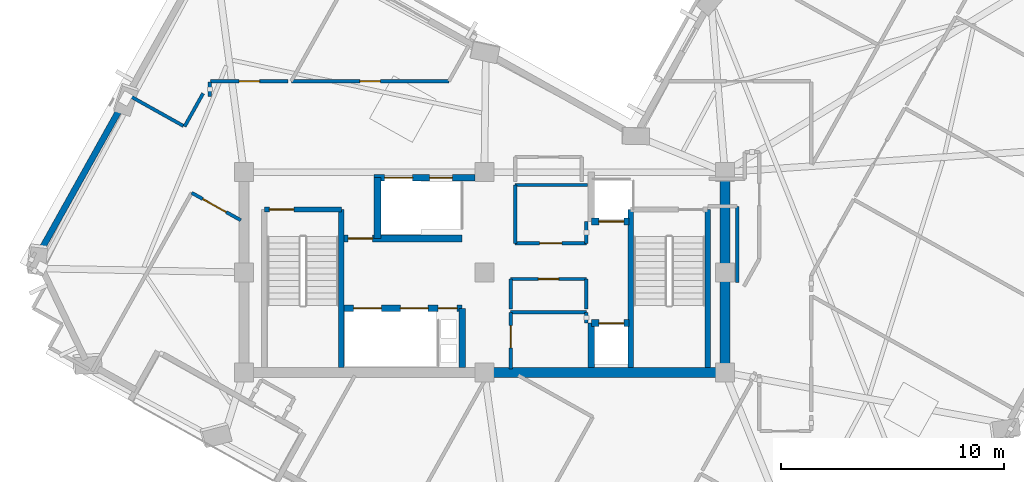
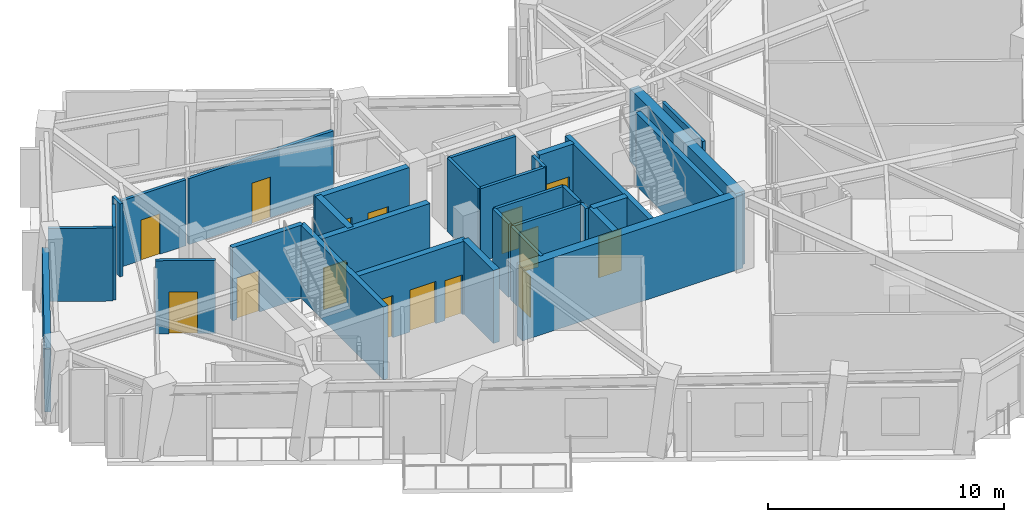
# One storey, part 4 of 11: 32 walls, 15 doors, 15 openings.
"""IFC4 building model written with IfcOpenShell, lengths in metres."""

from ifc_helpers import new_model, si_unit, direction, frame, frame_2d, origin, place, context, subcontext, project, spatial, rectangle, extrude, material, layer, layer_set, type_object, element, fill, save


model = new_model("IFC4")

# Units and contexts
model_context = context("Model", 3, precision=1e-05, world=origin(), true_north=direction((0.0, 1.0)))
body_context = subcontext(model_context, "Body", "Model", "MODEL_VIEW")
ifc_project = project(units=[si_unit("LENGTHUNIT", "METRE"), si_unit("AREAUNIT", "SQUARE_METRE"), si_unit("VOLUMEUNIT", "CUBIC_METRE"), si_unit("PLANEANGLEUNIT", "RADIAN"), si_unit("MASSUNIT", "GRAM", prefix="KILO")], contexts=[model_context])

# Site, building, storey
site_placement = place(None, origin())
site = spatial("IfcSite", under=ifc_project, at=site_placement, CompositionType="ELEMENT")
building_placement = place(site_placement, origin())
building = spatial("IfcBuilding", under=site, at=building_placement, Name="Gaonmaruhae Medical Tower", CompositionType="ELEMENT")
storey_placement = place(building_placement, frame((0.0, 0.0, 284.60009765625)))
storey = spatial("IfcBuildingStorey", under=building, at=storey_placement, Name="L68", CompositionType="ELEMENT", Elevation=284.60009765625)

# Walls
ifc_material_1 = material(Name="Concrete C50/60", Category="concrete")
ifc_layer_1 = layer(ifc_material_1, 0.449951171875)
ifc_layer_set_1 = layer_set([ifc_layer_1], Name="Concrete C50/60")
wall_type_1 = type_object("IfcWallType", Name="CW-450 Upper Core Shear Wall", PredefinedType="SHEAR", material=ifc_layer_set_1)
wall_1_placement = place(storey_placement, frame((24.800048828125, 7.800048828125, 0.0), z_axis=(0.0, 0.0, 1.0), x_axis=(1.0, 0.0, 0.0)))
element("IfcWall", 1, at=wall_1_placement, inside=storey, type_object=wall_type_1, Name="L68 Core Shear Wall CSW-S2", PredefinedType="SHEAR", context=body_context, shape_type="SweptSolid", body=[
    extrude(rectangle(XDim=10.800048828125, YDim=0.449951171875, at=frame_2d((5.39990234375, 0.0))), origin(), (0.0, 0.0, 1.0), 3.77978515625),
])
wall_2_placement = place(storey_placement, frame((35.60009765625, 7.800048828125, 0.0), z_axis=(0.0, 0.0, 1.0), x_axis=(0.0, 1.0, 0.0)))
element("IfcWall", 2, at=wall_2_placement, inside=storey, type_object=wall_type_1, Name="L68 Core Shear Wall CSW-E1", PredefinedType="SHEAR", context=body_context, shape_type="SweptSolid", body=[
    extrude(rectangle(XDim=9.0, YDim=0.449951171875, at=frame_2d((4.5, 0.0))), origin(), (0.0, 0.0, 1.0), 3.77978515625),
])
ifc_material_2 = material(Name="Precast concrete C45/55", Category="concrete")
ifc_layer_2 = layer(ifc_material_2, 0.280029296875)
ifc_layer_set_2 = layer_set([ifc_layer_2], Name="Precast concrete C45/55")
wall_type_2 = type_object("IfcWallType", Name="EW-280 Upper Precast Masonry-Frame Facade Wall", PredefinedType="SOLIDWALL", material=ifc_layer_set_2)
wall_3_placement = place(storey_placement, frame((4.781982421875, 13.1044921875, 0.0), z_axis=(0.0, 0.0, 1.0), x_axis=(0.487879111407, 0.87291120548, 0.0)))
element("IfcWall", 3, at=wall_3_placement, inside=storey, type_object=wall_type_2, Name="L68 Precast Masonry-Frame Wall N02-N03", PredefinedType="SOLIDWALL", context=body_context, shape_type="SweptSolid", body=[
    extrude(rectangle(XDim=7.484619140625, YDim=0.280029296875, at=frame_2d((3.7421875, 0.0))), origin(), (0.0, 0.0, 1.0), 3.264892578125),
])

# Wall, opening, door
ifc_material_3 = material(Name="Gypsum board partition", Category="gypsum")
ifc_layer_3 = layer(ifc_material_3, 0.14990234375)
ifc_layer_set_3 = layer_set([ifc_layer_3], Name="Gypsum board partition")
wall_type_3 = type_object("IfcWallType", Name="PW-150 Rated Clinical Corridor Partition", PredefinedType="PARTITIONING", material=ifc_layer_set_3)
wall_4_placement = place(storey_placement, frame((25.97998046875, 7.9599609375, 0.0), z_axis=(0.0, 0.0, 1.0), x_axis=(0.0, 1.0, 0.0)))
wall_4 = element("IfcWall", 4, at=wall_4_placement, inside=storey, type_object=wall_type_3, Name="L68 Interior Partition L68-RCL1-1", PredefinedType="PARTITIONING", context=body_context, shape_type="SweptSolid", body=[
    extrude(rectangle(XDim=2.5400390625, YDim=0.14990234375, at=frame_2d((1.27001953125, 0.0))), origin(), (0.0, 0.0, 1.0), 3.77978515625),
])
opening_1_placement = place(wall_4_placement, frame((0.945068359375, 0.0, 0.0)))
opening_1 = element("IfcOpeningElement", 5, at=opening_1_placement, cuts=wall_4, Name="Opening CD-01", PredefinedType="OPENING", context=body_context, shape_type="SweptSolid", body=[
    extrude(rectangle(XDim=1.0, YDim=2.1201171875, at=frame_2d((0.5, 1.06005859375))), frame((0.0, 0.0849609375, 0.0), z_axis=(0.0, -1.0, 0.0), x_axis=(1.0, 0.0, 0.0)), (0.0, 0.0, 1.0), 0.169921875),
])
ifc_material_4 = material(Name="Antimicrobial laminate timber fire door", Category="wood")
door_type_1 = type_object("IfcDoorType", Name="CD-01 Consultation & Physician Office Door 1000x2120", OperationType="NOTDEFINED", PredefinedType="DOOR", material=ifc_material_4)
door_1_placement = place(opening_1_placement, origin())
door_1 = element("IfcDoor", 6, at=door_1_placement, inside=storey, type_object=door_type_1, Name="L68 Clinical Telemetry and Medication Room Door", OperationType="SINGLE_SWING_RIGHT", OverallHeight=2.1201171875, OverallWidth=1.0, PredefinedType="DOOR", context=body_context, shape_type="SweptSolid", body=[
    extrude(rectangle(XDim=1.0, YDim=2.1201171875, at=frame_2d((0.5, 1.06005859375))), frame((0.0, 0.02490234375, 0.0), z_axis=(0.0, -1.0, 0.0), x_axis=(1.0, 0.0, 0.0)), (0.0, 0.0, 1.0), 0.050048828125),
])
fill(opening_1, door_1)

# Walls
wall_5_placement = place(storey_placement, frame((25.97998046875, 10.5, 0.0), z_axis=(0.0, 0.0, 1.0), x_axis=(1.0, 0.0, 0.0)))
element("IfcWall", 7, at=wall_5_placement, inside=storey, type_object=wall_type_3, Name="L68 Interior Partition L68-RCL1-2", PredefinedType="PARTITIONING", context=body_context, shape_type="SweptSolid", body=[
    extrude(rectangle(XDim=3.39990234375, YDim=0.14990234375, at=frame_2d((1.699951171875, 0.0))), origin(), (0.0, 0.0, 1.0), 3.77978515625),
])
wall_6_placement = place(storey_placement, frame((29.3798828125, 10.5, 0.0), z_axis=(0.0, 0.0, 1.0), x_axis=(0.0, -1.0, 0.0)))
element("IfcWall", 8, at=wall_6_placement, inside=storey, type_object=wall_type_3, Name="L68 Interior Partition L68-RCL1-3", PredefinedType="PARTITIONING", context=body_context, shape_type="SweptSolid", body=[
    extrude(rectangle(XDim=0.47998046875, YDim=0.14990234375, at=frame_2d((0.239990234375, 0.0))), origin(), (0.0, 0.0, 1.0), 3.77978515625),
])
wall_7_placement = place(storey_placement, frame((25.97998046875, 10.659912109375, 0.0), z_axis=(0.0, 0.0, 1.0), x_axis=(0.0, 1.0, 0.0)))
element("IfcWall", 9, at=wall_7_placement, inside=storey, type_object=wall_type_3, Name="L68 Interior Partition L68-CS1-4", PredefinedType="PARTITIONING", context=body_context, shape_type="SweptSolid", body=[
    extrude(rectangle(XDim=1.340087890625, YDim=0.14990234375, at=frame_2d((0.669921875, 0.0))), origin(), (0.0, 0.0, 1.0), 3.77978515625),
])

# Wall, opening, door
wall_8_placement = place(storey_placement, frame((25.97998046875, 12.0, 0.0), z_axis=(0.0, 0.0, 1.0), x_axis=(1.0, 0.0, 0.0)))
wall_8 = element("IfcWall", 10, at=wall_8_placement, inside=storey, type_object=wall_type_3, Name="L68 Interior Partition L68-CS1-5", PredefinedType="PARTITIONING", context=body_context, shape_type="SweptSolid", body=[
    extrude(rectangle(XDim=3.39990234375, YDim=0.14990234375, at=frame_2d((1.699951171875, 0.0))), origin(), (0.0, 0.0, 1.0), 3.77978515625),
])
opening_2_placement = place(wall_8_placement, frame((1.239990234375, 0.0, 0.0)))
opening_2 = element("IfcOpeningElement", 11, at=opening_2_placement, cuts=wall_8, Name="Opening UD-01", PredefinedType="OPENING", context=body_context, shape_type="SweptSolid", body=[
    extrude(rectangle(XDim=0.919921875, YDim=2.10009765625, at=frame_2d((0.4599609375, 1.050048828125))), frame((0.0, 0.0849609375, 0.0), z_axis=(0.0, -1.0, 0.0), x_axis=(1.0, 0.0, 0.0)), (0.0, 0.0, 1.0), 0.169921875),
])
ifc_material_5 = material(Name="Powder-coated steel utility door", Category="steel")
door_type_2 = type_object("IfcDoorType", Name="UD-01 Toilet, Utility & Housekeeping Door 920x2100", OperationType="NOTDEFINED", PredefinedType="DOOR", material=ifc_material_5)
door_2_placement = place(opening_2_placement, origin())
door_2 = element("IfcDoor", 12, at=door_2_placement, inside=storey, type_object=door_type_2, Name="L68 Accessible Staff Toilet Door", OperationType="SINGLE_SWING_RIGHT", OverallHeight=2.10009765625, OverallWidth=0.919921875, PredefinedType="DOOR", context=body_context, shape_type="SweptSolid", body=[
    extrude(rectangle(XDim=0.919921875, YDim=2.10009765625, at=frame_2d((0.4599609375, 1.050048828125))), frame((0.0, 0.02490234375, 0.0), z_axis=(0.0, -1.0, 0.0), x_axis=(1.0, 0.0, 0.0)), (0.0, 0.0, 1.0), 0.050048828125),
])
fill(opening_2, door_2)

# Walls
wall_9_placement = place(storey_placement, frame((29.3798828125, 12.0, 0.0), z_axis=(0.0, 0.0, 1.0), x_axis=(0.0, -1.0, 0.0)))
element("IfcWall", 13, at=wall_9_placement, inside=storey, type_object=wall_type_3, Name="L68 Interior Partition L68-CS1-6", PredefinedType="PARTITIONING", context=body_context, shape_type="SweptSolid", body=[
    extrude(rectangle(XDim=1.340087890625, YDim=0.14990234375, at=frame_2d((0.669921875, 0.0))), origin(), (0.0, 0.0, 1.0), 3.77978515625),
])
wall_10_placement = place(storey_placement, frame((26.179931640625, 13.60009765625, 0.0), z_axis=(0.0, 0.0, 1.0), x_axis=(0.0, 1.0, 0.0)))
element("IfcWall", 14, at=wall_10_placement, inside=storey, type_object=wall_type_3, Name="L68 Interior Partition L68-RCL2-7", PredefinedType="PARTITIONING", context=body_context, shape_type="SweptSolid", body=[
    extrude(rectangle(XDim=2.619873046875, YDim=0.14990234375, at=frame_2d((1.31005859375, 0.0))), origin(), (0.0, 0.0, 1.0), 3.77978515625),
])
wall_11_placement = place(storey_placement, frame((26.179931640625, 16.219970703125, 0.0), z_axis=(0.0, 0.0, 1.0), x_axis=(1.0, 0.0, 0.0)))
element("IfcWall", 15, at=wall_11_placement, inside=storey, type_object=wall_type_3, Name="L68 Interior Partition L68-RCL2-8", PredefinedType="PARTITIONING", context=body_context, shape_type="SweptSolid", body=[
    extrude(rectangle(XDim=3.260009765625, YDim=0.14990234375, at=frame_2d((1.6298828125, 0.0))), origin(), (0.0, 0.0, 1.0), 3.77978515625),
])
wall_12_placement = place(storey_placement, frame((29.3798828125, 14.580078125, 0.0), z_axis=(0.0, 0.0, 1.0), x_axis=(0.0, -1.0, 0.0)))
element("IfcWall", 16, at=wall_12_placement, inside=storey, type_object=wall_type_3, Name="L68 Interior Partition L68-RCL2-9", PredefinedType="PARTITIONING", context=body_context, shape_type="SweptSolid", body=[
    extrude(rectangle(XDim=0.97998046875, YDim=0.14990234375, at=frame_2d((0.489990234375, 0.0))), origin(), (0.0, 0.0, 1.0), 3.77978515625),
])

# Wall, opening, door
wall_13_placement = place(storey_placement, frame((29.3798828125, 13.60009765625, 0.0), z_axis=(0.0, 0.0, 1.0), x_axis=(-1.0, 0.0, 0.0)))
wall_13 = element("IfcWall", 17, at=wall_13_placement, inside=storey, type_object=wall_type_3, Name="L68 Interior Partition L68-RCL2-10", PredefinedType="PARTITIONING", context=body_context, shape_type="SweptSolid", body=[
    extrude(rectangle(XDim=3.199951171875, YDim=0.14990234375, at=frame_2d((1.60009765625, 0.0))), origin(), (0.0, 0.0, 1.0), 3.77978515625),
])
opening_3_placement = place(wall_13_placement, frame((1.10009765625, 0.0, 0.0)))
opening_3 = element("IfcOpeningElement", 18, at=opening_3_placement, cuts=wall_13, Name="Opening CD-01", PredefinedType="OPENING", context=body_context, shape_type="SweptSolid", body=[
    extrude(rectangle(XDim=1.0, YDim=2.1201171875, at=frame_2d((0.5, 1.06005859375))), frame((0.0, 0.0849609375, 0.0), z_axis=(0.0, -1.0, 0.0), x_axis=(1.0, 0.0, 0.0)), (0.0, 0.0, 1.0), 0.169921875),
])
door_3_placement = place(opening_3_placement, origin())
door_3 = element("IfcDoor", 19, at=door_3_placement, inside=storey, type_object=door_type_1, Name="L68 High-Zone Specialist Pharmacy Prep Room Door", OperationType="SINGLE_SWING_RIGHT", OverallHeight=2.1201171875, OverallWidth=1.0, PredefinedType="DOOR", context=body_context, shape_type="SweptSolid", body=[
    extrude(rectangle(XDim=1.0, YDim=2.1201171875, at=frame_2d((0.5, 1.06005859375))), frame((0.0, 0.02490234375, 0.0), z_axis=(0.0, -1.0, 0.0), x_axis=(1.0, 0.0, 0.0)), (0.0, 0.0, 1.0), 0.050048828125),
])
fill(opening_3, door_3)

wall_14_placement = place(storey_placement, frame((11.655029296875, 15.87109375, 0.0), z_axis=(0.0, 0.0, 1.0), x_axis=(0.872955587188, -0.487799695365, 0.0)))
wall_14 = element("IfcWall", 20, at=wall_14_placement, inside=storey, type_object=wall_type_3, Name="L68 Interior Partition L68-WCL14-52", PredefinedType="PARTITIONING", context=body_context, shape_type="SweptSolid", body=[
    extrude(rectangle(XDim=2.52587890625, YDim=0.14990234375, at=frame_2d((1.262939453125, 0.0))), origin(), (0.0, 0.0, 1.0), 3.77978515625),
])
opening_4_placement = place(wall_14_placement, frame((0.571044921875, 0.0, 0.0)))
opening_4 = element("IfcOpeningElement", 21, at=opening_4_placement, cuts=wall_14, Name="Opening CD-02", PredefinedType="OPENING", context=body_context, shape_type="SweptSolid", body=[
    extrude(rectangle(XDim=1.199951171875, YDim=2.14990234375, at=frame_2d((0.60009765625, 1.074951171875))), frame((0.0, 0.0849609375, 0.0), z_axis=(0.0, -1.0, 0.0), x_axis=(1.0, 0.0, 0.0)), (0.0, 0.0, 1.0), 0.169921875),
])
door_type_3 = type_object("IfcDoorType", Name="CD-02 Clinical Treatment & Procedure Door 1200x2150", OperationType="NOTDEFINED", PredefinedType="DOOR", material=ifc_material_4)
door_4_placement = place(opening_4_placement, origin())
door_4 = element("IfcDoor", 22, at=door_4_placement, inside=storey, type_object=door_type_3, Name="L68 Specialist Consultation Office Sliding Door", OperationType="SLIDING_TO_LEFT", OverallHeight=2.14990234375, OverallWidth=1.199951171875, PredefinedType="DOOR", context=body_context, shape_type="SweptSolid", body=[
    extrude(rectangle(XDim=1.199951171875, YDim=2.14990234375, at=frame_2d((0.60009765625, 1.074951171875))), frame((0.0, 0.02490234375, 0.0), z_axis=(0.0, -1.0, 0.0), x_axis=(1.0, 0.0, 0.0)), (0.0, 0.0, 1.0), 0.050048828125),
])
fill(opening_4, door_4)

# Wall
wall_15_placement = place(storey_placement, frame((36.14990234375, 11.842041015625, 0.0), z_axis=(0.0, 0.0, 1.0), x_axis=(0.0, 1.0, 0.0)))
element("IfcWall", 23, at=wall_15_placement, inside=storey, type_object=wall_type_3, Name="L68 Interior Partition L68-IE02-68", PredefinedType="PARTITIONING", context=body_context, shape_type="SweptSolid", body=[
    extrude(rectangle(XDim=3.41796875, YDim=0.14990234375, at=frame_2d((1.708984375, 0.0))), origin(), (0.0, 0.0, 1.0), 3.77978515625),
])

# Wall, opening, door
wall_16_placement = place(storey_placement, frame((23.20703125, 20.8798828125, 0.0), z_axis=(0.0, 0.0, 1.0), x_axis=(-1.0, 0.0, 0.0)))
wall_16 = element("IfcWall", 24, at=wall_16_placement, inside=storey, type_object=wall_type_3, Name="L68 Interior Partition L68-IN02-86", PredefinedType="PARTITIONING", context=body_context, shape_type="SweptSolid", body=[
    extrude(rectangle(XDim=7.080078125, YDim=0.14990234375, at=frame_2d((3.5400390625, 0.0))), origin(), (0.0, 0.0, 1.0), 3.414794921875),
])
opening_5_placement = place(wall_16_placement, frame((3.080078125, 0.0, 0.0)))
opening_5 = element("IfcOpeningElement", 25, at=opening_5_placement, cuts=wall_16, Name="Opening UD-01", PredefinedType="OPENING", context=body_context, shape_type="SweptSolid", body=[
    extrude(rectangle(XDim=0.919921875, YDim=2.10009765625, at=frame_2d((0.4599609375, 1.050048828125))), frame((0.0, 0.0849609375, 0.0), z_axis=(0.0, -1.0, 0.0), x_axis=(1.0, 0.0, 0.0)), (0.0, 0.0, 1.0), 0.169921875),
])
door_5_placement = place(opening_5_placement, origin())
door_5 = element("IfcDoor", 26, at=door_5_placement, inside=storey, type_object=door_type_2, Name="L68 Ward Nutrition Pantry Door", OperationType="SINGLE_SWING_LEFT", OverallHeight=2.10009765625, OverallWidth=0.919921875, PredefinedType="DOOR", context=body_context, shape_type="SweptSolid", body=[
    extrude(rectangle(XDim=0.919921875, YDim=2.10009765625, at=frame_2d((0.4599609375, 1.050048828125))), frame((0.0, 0.02490234375, 0.0), z_axis=(0.0, -1.0, 0.0), x_axis=(1.0, 0.0, 0.0)), (0.0, 0.0, 1.0), 0.050048828125),
])
fill(opening_5, door_5)

# Walls
wall_17_placement = place(storey_placement, frame((12.469970703125, 20.85009765625, 0.0), z_axis=(0.0, 0.0, 1.0), x_axis=(0.0, -1.0, 0.0)))
element("IfcWall", 27, at=wall_17_placement, inside=storey, type_object=wall_type_3, Name="L68 Interior Partition L68-IN03-91", PredefinedType="PARTITIONING", context=body_context, shape_type="SweptSolid", body=[
    extrude(rectangle(XDim=0.656982421875, YDim=0.14990234375, at=frame_2d((0.32861328125, 0.0))), origin(), (0.0, 0.0, 1.0), 3.77978515625),
])
wall_18_placement = place(storey_placement, frame((12.16796875, 20.333984375, 0.0), z_axis=(0.0, 0.0, 1.0), x_axis=(-0.487792485764, -0.872959615808, 0.0)))
element("IfcWall", 28, at=wall_18_placement, inside=storey, type_object=wall_type_3, Name="L68 Interior Partition L68-IN03-92", PredefinedType="PARTITIONING", context=body_context, shape_type="SweptSolid", body=[
    extrude(rectangle(XDim=1.705810546875, YDim=0.14990234375, at=frame_2d((0.85302734375, 0.0))), origin(), (0.0, 0.0, 1.0), 3.77978515625),
])
wall_19_placement = place(storey_placement, frame((11.2919921875, 18.868896484375, 0.0), z_axis=(0.0, 0.0, 1.0), x_axis=(-0.87277157088, 0.488128861125, 0.0)))
element("IfcWall", 29, at=wall_19_placement, inside=storey, type_object=wall_type_3, Name="L68 Interior Partition L68-IN03-93", PredefinedType="PARTITIONING", context=body_context, shape_type="SweptSolid", body=[
    extrude(rectangle(XDim=2.7578125, YDim=0.14990234375, at=frame_2d((1.37890625, 0.0))), origin(), (0.0, 0.0, 1.0), 3.77978515625),
])

# Wall, opening, door
wall_20_placement = place(storey_placement, frame((15.989990234375, 20.8798828125, 0.0), z_axis=(0.0, 0.0, 1.0), x_axis=(-1.0, 0.0, 0.0)))
wall_20 = element("IfcWall", 30, at=wall_20_placement, inside=storey, type_object=wall_type_3, Name="L68 Interior Partition L68-IN03-98", PredefinedType="PARTITIONING", context=body_context, shape_type="SweptSolid", body=[
    extrude(rectangle(XDim=3.47998046875, YDim=0.14990234375, at=frame_2d((1.739990234375, 0.0))), origin(), (0.0, 0.0, 1.0), 3.414794921875),
])
opening_6_placement = place(wall_20_placement, frame((1.280029296875, 0.0, 0.0)))
opening_6 = element("IfcOpeningElement", 31, at=opening_6_placement, cuts=wall_20, Name="Opening UD-01", PredefinedType="OPENING", context=body_context, shape_type="SweptSolid", body=[
    extrude(rectangle(XDim=0.919921875, YDim=2.10009765625, at=frame_2d((0.4599609375, 1.050048828125))), frame((0.0, 0.0849609375, 0.0), z_axis=(0.0, -1.0, 0.0), x_axis=(1.0, 0.0, 0.0)), (0.0, 0.0, 1.0), 0.169921875),
])
door_6_placement = place(opening_6_placement, origin())
door_6 = element("IfcDoor", 32, at=door_6_placement, inside=storey, type_object=door_type_2, Name="L68 Public Visitor Toilet Door", OperationType="SINGLE_SWING_LEFT", OverallHeight=2.10009765625, OverallWidth=0.919921875, PredefinedType="DOOR", context=body_context, shape_type="SweptSolid", body=[
    extrude(rectangle(XDim=0.919921875, YDim=2.10009765625, at=frame_2d((0.4599609375, 1.050048828125))), frame((0.0, 0.02490234375, 0.0), z_axis=(0.0, -1.0, 0.0), x_axis=(1.0, 0.0, 0.0)), (0.0, 0.0, 1.0), 0.050048828125),
])
fill(opening_6, door_6)

ifc_layer_4 = layer(ifc_material_1, 0.239990234375)
ifc_layer_set_4 = layer_set([ifc_layer_4], Name="Concrete C50/60")
wall_type_4 = type_object("IfcWallType", Name="SW-240 Dogleg Stair Tight Shaft Wall", PredefinedType="SOLIDWALL", material=ifc_layer_set_4)
wall_21_placement = place(storey_placement, frame((14.919921875, 15.1201171875, 0.0), z_axis=(0.0, 0.0, 1.0), x_axis=(1.0, 0.0, 0.0)))
wall_21 = element("IfcWall", 33, at=wall_21_placement, inside=storey, type_object=wall_type_4, Name="L68 ST-01 Stair Shaft Wall SHW-ST-01-N", PredefinedType="SOLIDWALL", context=body_context, shape_type="SweptSolid", body=[
    extrude(rectangle(XDim=3.4599609375, YDim=0.239990234375, at=frame_2d((1.72998046875, 0.0))), origin(), (0.0, 0.0, 1.0), 3.77978515625),
])
opening_7_placement = place(wall_21_placement, frame((0.219970703125, 0.0, 0.0)))
opening_7 = element("IfcOpeningElement", 34, at=opening_7_placement, cuts=wall_21, Name="Opening FD-01", PredefinedType="OPENING", context=body_context, shape_type="SweptSolid", body=[
    extrude(rectangle(XDim=1.10009765625, YDim=2.14990234375, at=frame_2d((0.550048828125, 1.074951171875))), frame((0.0, 0.1298828125, 0.0), z_axis=(0.0, -1.0, 0.0), x_axis=(1.0, 0.0, 0.0)), (0.0, 0.0, 1.0), 0.260009765625),
])
ifc_material_6 = material(Name="Powder-coated steel fire door", Category="steel")
door_type_4 = type_object("IfcDoorType", Name="FD-01 Escape Stair Protected Fire Door 1100x2150", OperationType="NOTDEFINED", PredefinedType="DOOR", material=ifc_material_6)
door_7_placement = place(opening_7_placement, origin())
door_7 = element("IfcDoor", 35, at=door_7_placement, inside=storey, type_object=door_type_4, Name="L68 ST-01 Protected Escape Stair Door", OperationType="SINGLE_SWING_LEFT", OverallHeight=2.14990234375, OverallWidth=1.10009765625, PredefinedType="DOOR", context=body_context, shape_type="SweptSolid", body=[
    extrude(rectangle(XDim=1.10009765625, YDim=2.14990234375, at=frame_2d((0.550048828125, 1.074951171875))), frame((0.0, 0.02490234375, 0.0), z_axis=(0.0, -1.0, 0.0), x_axis=(1.0, 0.0, 0.0)), (0.0, 0.0, 1.0), 0.050048828125),
])
fill(opening_7, door_7)

# Walls
for number, where, z_axis, x_axis, name in (
    (36, (18.3798828125, 15.1201171875, 0.0), (0.0, 0.0, 1.0), (0.0, -1.0, 0.0), "L68 ST-01 Stair Shaft Wall SHW-ST-01-E"),
    (37, (34.830078125, 15.1201171875, 0.0), (0.0, 0.0, 1.0), (0.0, -1.0, 0.0), "L68 ST-02 Stair Shaft Wall SHW-ST-02-E"),
    (38, (31.3701171875, 8.02490234375, 0.0), (0.0, 0.0, 1.0), (0.0, 1.0, 0.0), "L68 ST-02 Stair Shaft Wall SHW-ST-02-W"),
):
    element("IfcWall", number, at=place(storey_placement, frame(where, z_axis=z_axis, x_axis=x_axis)), inside=storey, type_object=wall_type_4, Name=name, PredefinedType="SOLIDWALL", context=body_context, shape_type="SweptSolid", body=[
        extrude(rectangle(XDim=7.09521484375, YDim=0.239990234375, at=frame_2d((3.547607421875, 0.0))), origin(), (0.0, 0.0, 1.0), 3.77978515625),
    ])

# Wall, openings, doors
ifc_layer_5 = layer(ifc_material_1, 0.300048828125)
ifc_layer_set_5 = layer_set([ifc_layer_5], Name="Concrete C50/60")
wall_type_5 = type_object("IfcWallType", Name="SW-300 Stair & Lift Hoistway Shaft Wall", PredefinedType="SOLIDWALL", material=ifc_layer_set_5)
wall_22_placement = place(storey_placement, frame((19.85009765625, 16.550048828125, 0.0), z_axis=(0.0, 0.0, 1.0), x_axis=(1.0, 0.0, 0.0)))
wall_22 = element("IfcWall", 39, at=wall_22_placement, inside=storey, type_object=wall_type_5, Name="L68 Core Shear Wall CSW-NB", PredefinedType="SOLIDWALL", context=body_context, shape_type="SweptSolid", body=[
    extrude(rectangle(XDim=4.52490234375, YDim=0.300048828125, at=frame_2d((2.262451171875, 0.0))), origin(), (0.0, 0.0, 1.0), 3.77978515625),
])
opening_8_placement = place(wall_22_placement, frame((0.47509765625, 0.0, 0.0)))
opening_8 = element("IfcOpeningElement", 40, at=opening_8_placement, cuts=wall_22, Name="Opening LD-F1", PredefinedType="OPENING", context=body_context, shape_type="SweptSolid", body=[
    extrude(rectangle(XDim=1.25, YDim=2.179931640625, at=frame_2d((0.625, 1.08984375))), frame((0.0, 0.16015625, 0.0), z_axis=(0.0, -1.0, 0.0), x_axis=(1.0, 0.0, 0.0)), (0.0, 0.0, 1.0), 0.320068359375),
])
opening_9_placement = place(wall_22_placement, frame((2.489990234375, 0.0, 0.0)))
opening_9 = element("IfcOpeningElement", 41, at=opening_9_placement, cuts=wall_22, Name="Opening LD-S1", PredefinedType="OPENING", context=body_context, shape_type="SweptSolid", body=[
    extrude(rectangle(XDim=1.02001953125, YDim=2.1201171875, at=frame_2d((0.510009765625, 1.06005859375))), frame((0.0, 0.16015625, 0.0), z_axis=(0.0, -1.0, 0.0), x_axis=(1.0, 0.0, 0.0)), (0.0, 0.0, 1.0), 0.320068359375),
])
ifc_material_7 = material(Name="Brushed stainless steel 316L landing door", Category="steel")
door_type_5 = type_object("IfcDoorType", Name="LD-F1 Firefighting & Bed Lift Sliding Landing Door 1250x2180", OperationType="NOTDEFINED", PredefinedType="DOOR", material=ifc_material_7)
door_8_placement = place(opening_8_placement, origin())
door_8 = element("IfcDoor", 42, at=door_8_placement, inside=storey, type_object=door_type_5, Name="L68 Service/Bed Lift Landing Door BDL-01", OperationType="DOUBLE_DOOR_SLIDING", OverallHeight=2.179931640625, OverallWidth=1.25, PredefinedType="DOOR", context=body_context, shape_type="SweptSolid", body=[
    extrude(rectangle(XDim=1.25, YDim=2.179931640625, at=frame_2d((0.625, 1.08984375))), frame((0.0, 0.02490234375, 0.0), z_axis=(0.0, -1.0, 0.0), x_axis=(1.0, 0.0, 0.0)), (0.0, 0.0, 1.0), 0.050048828125),
])
fill(opening_8, door_8)
ifc_material_8 = material(Name="Brushed stainless steel 304 landing door", Category="steel")
door_type_6 = type_object("IfcDoorType", Name="LD-S1 Service Lift Sliding Landing Door 1020x2120", OperationType="NOTDEFINED", PredefinedType="DOOR", material=ifc_material_8)
door_9_placement = place(opening_9_placement, origin())
door_9 = element("IfcDoor", 43, at=door_9_placement, inside=storey, type_object=door_type_6, Name="L68 Service/Bed Lift Landing Door SVL-01", OperationType="SLIDING_TO_LEFT", OverallHeight=2.1201171875, OverallWidth=1.02001953125, PredefinedType="DOOR", context=body_context, shape_type="SweptSolid", body=[
    extrude(rectangle(XDim=1.02001953125, YDim=2.1201171875, at=frame_2d((0.510009765625, 1.06005859375))), frame((0.0, 0.02490234375, 0.0), z_axis=(0.0, -1.0, 0.0), x_axis=(1.0, 0.0, 0.0)), (0.0, 0.0, 1.0), 0.050048828125),
])
fill(opening_9, door_9)

wall_23_placement = place(storey_placement, frame((18.5, 10.679931640625, 0.0), z_axis=(0.0, 0.0, 1.0), x_axis=(1.0, 0.0, 0.0)))
wall_23 = element("IfcWall", 44, at=wall_23_placement, inside=storey, type_object=wall_type_5, Name="L68 Shaft Enclosure Wall SHW-FFN", PredefinedType="SOLIDWALL", context=body_context, shape_type="SweptSolid", body=[
    extrude(rectangle(XDim=5.300048828125, YDim=0.300048828125, at=frame_2d((2.64990234375, 0.0))), origin(), (0.0, 0.0, 1.0), 3.77978515625),
])
opening_10_placement = place(wall_23_placement, frame((4.219970703125, 0.0, 0.0)))
opening_10 = element("IfcOpeningElement", 45, at=opening_10_placement, cuts=wall_23, Name="Opening AD-01", PredefinedType="OPENING", context=body_context, shape_type="SweptSolid", body=[
    extrude(rectangle(XDim=0.860107421875, YDim=2.06005859375, at=frame_2d((0.43017578125, 1.030029296875))), frame((0.0, 0.16015625, 0.0), z_axis=(0.0, -1.0, 0.0), x_axis=(1.0, 0.0, 0.0)), (0.0, 0.0, 1.0), 0.320068359375),
])
opening_11_placement = place(wall_23_placement, frame((0.425048828125, 0.0, 0.0)))
opening_11 = element("IfcOpeningElement", 46, at=opening_11_placement, cuts=wall_23, Name="Opening LD-F1", PredefinedType="OPENING", context=body_context, shape_type="SweptSolid", body=[
    extrude(rectangle(XDim=1.25, YDim=2.179931640625, at=frame_2d((0.625, 1.08984375))), frame((0.0, 0.16015625, 0.0), z_axis=(0.0, -1.0, 0.0), x_axis=(1.0, 0.0, 0.0)), (0.0, 0.0, 1.0), 0.320068359375),
])
opening_12_placement = place(wall_23_placement, frame((2.52490234375, 0.0, 0.0)))
opening_12 = element("IfcOpeningElement", 47, at=opening_12_placement, cuts=wall_23, Name="Opening LD-F1", PredefinedType="OPENING", context=body_context, shape_type="SweptSolid", body=[
    extrude(rectangle(XDim=1.25, YDim=2.179931640625, at=frame_2d((0.625, 1.08984375))), frame((0.0, 0.16015625, 0.0), z_axis=(0.0, -1.0, 0.0), x_axis=(1.0, 0.0, 0.0)), (0.0, 0.0, 1.0), 0.320068359375),
])
ifc_material_9 = material(Name="Powder-coated steel access door", Category="steel")
door_type_7 = type_object("IfcDoorType", Name="AD-01 Riser & Closet Access Fire Door 860x2060", OperationType="NOTDEFINED", PredefinedType="DOOR", material=ifc_material_9)
door_10_placement = place(opening_10_placement, origin())
door_10 = element("IfcDoor", 48, at=door_10_placement, inside=storey, type_object=door_type_7, Name="L68 Medical Gas and MEP Riser Access Door", OperationType="SINGLE_SWING_RIGHT", OverallHeight=2.06005859375, OverallWidth=0.860107421875, PredefinedType="DOOR", context=body_context, shape_type="SweptSolid", body=[
    extrude(rectangle(XDim=0.860107421875, YDim=2.06005859375, at=frame_2d((0.43017578125, 1.030029296875))), frame((0.0, 0.02490234375, 0.0), z_axis=(0.0, -1.0, 0.0), x_axis=(1.0, 0.0, 0.0)), (0.0, 0.0, 1.0), 0.050048828125),
])
fill(opening_10, door_10)
door_11_placement = place(opening_11_placement, origin())
door_11 = element("IfcDoor", 49, at=door_11_placement, inside=storey, type_object=door_type_5, Name="L68 Firefighting Lift Landing Door FFL-01", OperationType="DOUBLE_DOOR_SLIDING", OverallHeight=2.179931640625, OverallWidth=1.25, PredefinedType="DOOR", context=body_context, shape_type="SweptSolid", body=[
    extrude(rectangle(XDim=1.25, YDim=2.179931640625, at=frame_2d((0.625, 1.08984375))), frame((0.0, 0.02490234375, 0.0), z_axis=(0.0, -1.0, 0.0), x_axis=(1.0, 0.0, 0.0)), (0.0, 0.0, 1.0), 0.050048828125),
])
fill(opening_11, door_11)
door_12_placement = place(opening_12_placement, origin())
door_12 = element("IfcDoor", 50, at=door_12_placement, inside=storey, type_object=door_type_5, Name="L68 Firefighting Lift Landing Door FFL-02", OperationType="DOUBLE_DOOR_SLIDING", OverallHeight=2.179931640625, OverallWidth=1.25, PredefinedType="DOOR", context=body_context, shape_type="SweptSolid", body=[
    extrude(rectangle(XDim=1.25, YDim=2.179931640625, at=frame_2d((0.625, 1.08984375))), frame((0.0, 0.02490234375, 0.0), z_axis=(0.0, -1.0, 0.0), x_axis=(1.0, 0.0, 0.0)), (0.0, 0.0, 1.0), 0.050048828125),
])
fill(opening_12, door_12)

# Wall, opening, door
wall_24_placement = place(storey_placement, frame((18.5, 13.820068359375, 0.0), z_axis=(0.0, 0.0, 1.0), x_axis=(1.0, 0.0, 0.0)))
wall_24 = element("IfcWall", 51, at=wall_24_placement, inside=storey, type_object=wall_type_5, Name="L68 Shaft Enclosure Wall SHW-FFL", PredefinedType="SOLIDWALL", context=body_context, shape_type="SweptSolid", body=[
    extrude(rectangle(XDim=5.300048828125, YDim=0.300048828125, at=frame_2d((2.64990234375, 0.0))), origin(), (0.0, 0.0, 1.0), 3.77978515625),
])
opening_13_placement = place(wall_24_placement, frame((0.179931640625, 0.0, 0.0)))
opening_13 = element("IfcOpeningElement", 52, at=opening_13_placement, cuts=wall_24, Name="Opening FD-01", PredefinedType="OPENING", context=body_context, shape_type="SweptSolid", body=[
    extrude(rectangle(XDim=1.10009765625, YDim=2.14990234375, at=frame_2d((0.550048828125, 1.074951171875))), frame((0.0, 0.16015625, 0.0), z_axis=(0.0, -1.0, 0.0), x_axis=(1.0, 0.0, 0.0)), (0.0, 0.0, 1.0), 0.320068359375),
])
door_13_placement = place(opening_13_placement, origin())
door_13 = element("IfcDoor", 53, at=door_13_placement, inside=storey, type_object=door_type_4, Name="L68 Firefighting Lobby Smoke Door", OperationType="SINGLE_SWING_LEFT", OverallHeight=2.14990234375, OverallWidth=1.10009765625, PredefinedType="DOOR", context=body_context, shape_type="SweptSolid", body=[
    extrude(rectangle(XDim=1.10009765625, YDim=2.14990234375, at=frame_2d((0.550048828125, 1.074951171875))), frame((0.0, 0.02490234375, 0.0), z_axis=(0.0, -1.0, 0.0), x_axis=(1.0, 0.0, 0.0)), (0.0, 0.0, 1.0), 0.050048828125),
])
fill(opening_13, door_13)

# Walls
wall_25_placement = place(storey_placement, frame((23.800048828125, 8.02490234375, 0.0), z_axis=(0.0, 0.0, 1.0), x_axis=(0.0, 1.0, 0.0)))
element("IfcWall", 54, at=wall_25_placement, inside=storey, type_object=wall_type_5, Name="L68 Shaft Enclosure Wall SHW-FFE", PredefinedType="SOLIDWALL", context=body_context, shape_type="SweptSolid", body=[
    extrude(rectangle(XDim=2.655029296875, YDim=0.300048828125, at=frame_2d((1.32763671875, 0.0))), origin(), (0.0, 0.0, 1.0), 3.77978515625),
])
wall_26_placement = place(storey_placement, frame((20.0, 13.820068359375, 0.0), z_axis=(0.0, 0.0, 1.0), x_axis=(0.0, 1.0, 0.0)))
element("IfcWall", 55, at=wall_26_placement, inside=storey, type_object=wall_type_5, Name="L68 Shaft Enclosure Wall SHW-BDW", PredefinedType="SOLIDWALL", context=body_context, shape_type="SweptSolid", body=[
    extrude(rectangle(XDim=2.72998046875, YDim=0.300048828125, at=frame_2d((1.364990234375, 0.0))), origin(), (0.0, 0.0, 1.0), 3.77978515625),
])

# Wall, opening, door
wall_27_placement = place(storey_placement, frame((29.60009765625, 10.02001953125, 0.0), z_axis=(0.0, 0.0, 1.0), x_axis=(1.0, 0.0, 0.0)))
wall_27 = element("IfcWall", 56, at=wall_27_placement, inside=storey, type_object=wall_type_5, Name="L68 Shaft Enclosure Wall SHW-PLS", PredefinedType="SOLIDWALL", context=body_context, shape_type="SweptSolid", body=[
    extrude(rectangle(XDim=1.699951171875, YDim=0.300048828125, at=frame_2d((0.85009765625, 0.0))), origin(), (0.0, 0.0, 1.0), 3.77978515625),
])
opening_14_placement = place(wall_27_placement, frame((0.340087890625, 0.0, 0.0)))
opening_14 = element("IfcOpeningElement", 57, at=opening_14_placement, cuts=wall_27, Name="Opening LD-P1", PredefinedType="OPENING", context=body_context, shape_type="SweptSolid", body=[
    extrude(rectangle(XDim=1.1201171875, YDim=2.14990234375, at=frame_2d((0.56005859375, 1.074951171875))), frame((0.0, 0.16015625, 0.0), z_axis=(0.0, -1.0, 0.0), x_axis=(1.0, 0.0, 0.0)), (0.0, 0.0, 1.0), 0.320068359375),
])
door_type_8 = type_object("IfcDoorType", Name="LD-P1 Passenger Lift Sliding Landing Door 1120x2150", OperationType="NOTDEFINED", PredefinedType="DOOR", material=ifc_material_8)
door_14_placement = place(opening_14_placement, origin())
door_14 = element("IfcDoor", 58, at=door_14_placement, inside=storey, type_object=door_type_8, Name="L68 Passenger Lift Landing Door PL-H1", OperationType="DOUBLE_DOOR_SLIDING", OverallHeight=2.14990234375, OverallWidth=1.1201171875, PredefinedType="DOOR", context=body_context, shape_type="SweptSolid", body=[
    extrude(rectangle(XDim=1.1201171875, YDim=2.14990234375, at=frame_2d((0.56005859375, 1.074951171875))), frame((0.0, 0.02490234375, 0.0), z_axis=(0.0, -1.0, 0.0), x_axis=(1.0, 0.0, 0.0)), (0.0, 0.0, 1.0), 0.050048828125),
])
fill(opening_14, door_14)

# Wall
wall_28_placement = place(storey_placement, frame((29.60009765625, 8.02490234375, 0.0), z_axis=(0.0, 0.0, 1.0), x_axis=(0.0, 1.0, 0.0)))
element("IfcWall", 59, at=wall_28_placement, inside=storey, type_object=wall_type_5, Name="L68 Shaft Enclosure Wall SHW-PLD1", PredefinedType="SOLIDWALL", context=body_context, shape_type="SweptSolid", body=[
    extrude(rectangle(XDim=1.9951171875, YDim=0.300048828125, at=frame_2d((0.99755859375, 0.0))), origin(), (0.0, 0.0, 1.0), 3.77978515625),
])

# Wall, opening, door
wall_29_placement = place(storey_placement, frame((29.60009765625, 14.580078125, 0.0), z_axis=(0.0, 0.0, 1.0), x_axis=(1.0, 0.0, 0.0)))
wall_29 = element("IfcWall", 60, at=wall_29_placement, inside=storey, type_object=wall_type_5, Name="L68 Shaft Enclosure Wall SHW-PLN", PredefinedType="SOLIDWALL", context=body_context, shape_type="SweptSolid", body=[
    extrude(rectangle(XDim=1.699951171875, YDim=0.300048828125, at=frame_2d((0.85009765625, 0.0))), origin(), (0.0, 0.0, 1.0), 3.77978515625),
])
opening_15_placement = place(wall_29_placement, frame((0.340087890625, 0.0, 0.0)))
opening_15 = element("IfcOpeningElement", 61, at=opening_15_placement, cuts=wall_29, Name="Opening LD-P1", PredefinedType="OPENING", context=body_context, shape_type="SweptSolid", body=[
    extrude(rectangle(XDim=1.1201171875, YDim=2.14990234375, at=frame_2d((0.56005859375, 1.074951171875))), frame((0.0, 0.16015625, 0.0), z_axis=(0.0, -1.0, 0.0), x_axis=(1.0, 0.0, 0.0)), (0.0, 0.0, 1.0), 0.320068359375),
])
door_15_placement = place(opening_15_placement, origin())
door_15 = element("IfcDoor", 62, at=door_15_placement, inside=storey, type_object=door_type_8, Name="L68 Passenger Lift Landing Door PL-H2", OperationType="DOUBLE_DOOR_SLIDING", OverallHeight=2.14990234375, OverallWidth=1.1201171875, PredefinedType="DOOR", context=body_context, shape_type="SweptSolid", body=[
    extrude(rectangle(XDim=1.1201171875, YDim=2.14990234375, at=frame_2d((0.56005859375, 1.074951171875))), frame((0.0, 0.02490234375, 0.0), z_axis=(0.0, -1.0, 0.0), x_axis=(1.0, 0.0, 0.0)), (0.0, 0.0, 1.0), 0.050048828125),
])
fill(opening_15, door_15)

save(model, "model.ifc")
